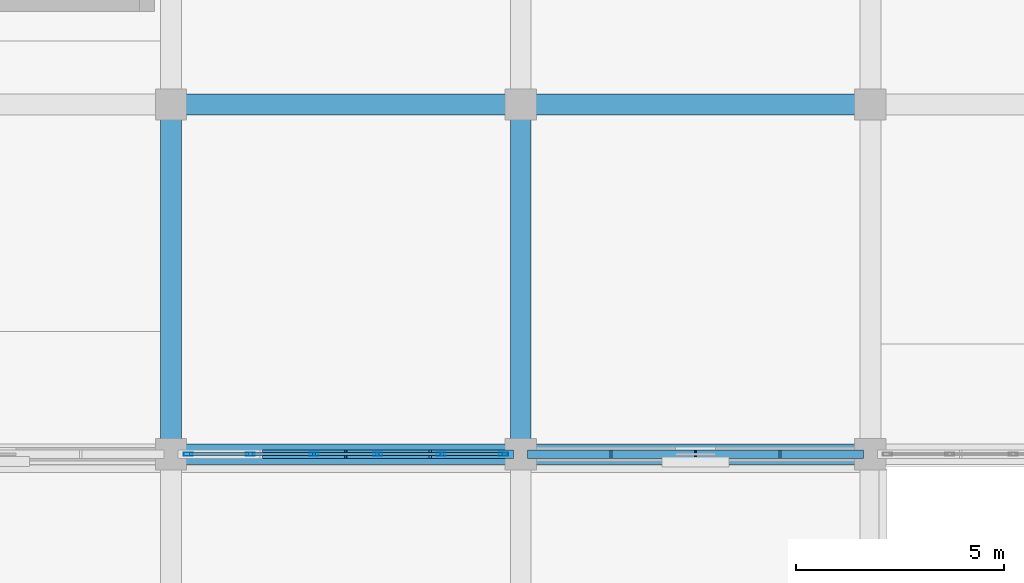
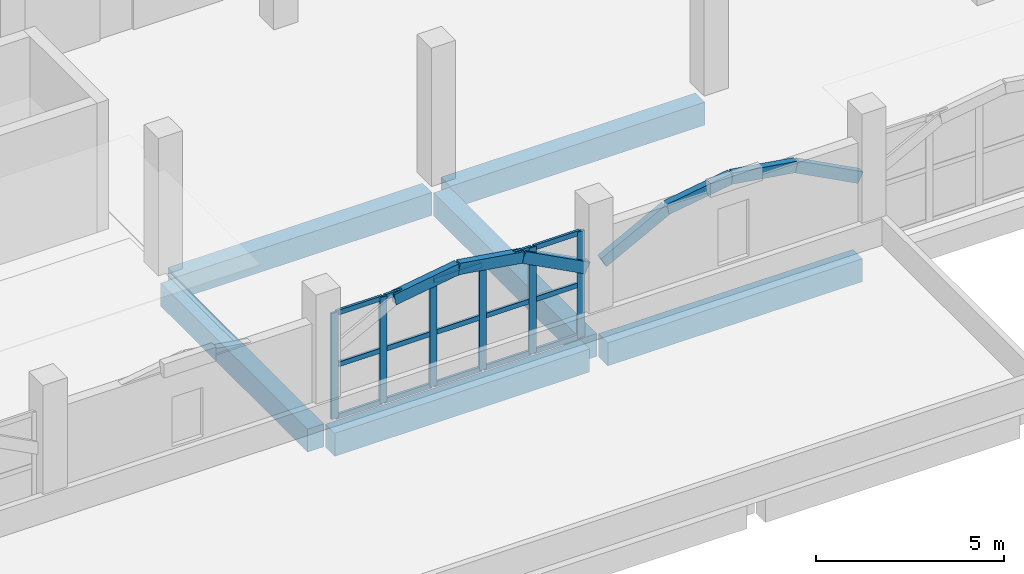
# One storey, part 47 of 114: 28 members, 6 beams, 1 element without a shape of its own.
"""IFC4 building model written with IfcOpenShell, lengths in metres."""

from ifc_helpers import new_model, si_unit, direction, frame, origin, origin_2d, place, context, subcontext, project, spatial, rectangle, hollow_rectangle, extrude, material, layer, layer_set, material_profile, profile_set, type_object, element, aggregate, save


model = new_model("IFC4")

# Units and contexts
model_context = context("Model", 3, precision=1e-05, world=origin(), true_north=direction((0.0, 1.0)))
body_context = subcontext(model_context, "Body", "Model", "MODEL_VIEW")
ifc_project = project(units=[si_unit("LENGTHUNIT", "METRE"), si_unit("AREAUNIT", "SQUARE_METRE"), si_unit("VOLUMEUNIT", "CUBIC_METRE"), si_unit("PLANEANGLEUNIT", "RADIAN"), si_unit("MASSUNIT", "GRAM", prefix="KILO")], contexts=[model_context])

# Site, building, storey
site_placement = place(None, origin())
site = spatial("IfcSite", under=ifc_project, at=site_placement, CompositionType="ELEMENT")
building_placement = place(site_placement, origin())
building = spatial("IfcBuilding", under=site, at=building_placement, Name="Xazarin Passage Department Store", CompositionType="ELEMENT")
storey_placement = place(building_placement, frame((0.0, 0.0, 14.39990234375)))
storey = spatial("IfcBuildingStorey", under=building, at=storey_placement, Name="L03", CompositionType="ELEMENT", Elevation=14.39990234375)

# Curtain wall, members
ifc_material_1 = material(Name="Bronze anodised aluminium", Category="aluminium")
ifc_layer = layer(ifc_material_1, 0.199951171875)
ifc_layer_set = layer_set([ifc_layer], Name="Bronze anodised aluminium")
curtain_wall_type = type_object("IfcCurtainWallType", Name="ARC-CW-VIT2", PredefinedType="NOTDEFINED", material=ifc_layer_set)
curtain_wall_placement = place(storey_placement, origin())
curtain_wall = element("IfcCurtainWall", 1, at=curtain_wall_placement, inside=storey, type_object=curtain_wall_type, Name="L03 V1 Curtain Wall 057", PredefinedType="NOTDEFINED")
ifc_material_profile_1 = material_profile(ifc_material_1, hollow_rectangle(XDim=0.074951171875, YDim=0.219970703125, WallThickness=0.0048828125, at=origin_2d()), Name="ALU 75x220")
ifc_profile_set_1 = profile_set([ifc_material_profile_1], Name="Bronze anodised aluminium")
member_type_1 = type_object("IfcMemberType", Name="ARC-CWM-75x220", PredefinedType="MULLION", material=ifc_profile_set_1)
member_1_placement = place(storey_placement, frame((34.012451171875, 68.0, 0.0), z_axis=(0.0, 0.0, 1.0), x_axis=(0.0, 1.0, 0.0)))
member_1 = element("IfcMember", 2, at=member_1_placement, type_object=member_type_1, Name="CW2 mullion 1", PredefinedType="MULLION", context=body_context, shape_type="SweptSolid", body=[
    extrude(hollow_rectangle(XDim=0.074951171875, YDim=0.219970703125, WallThickness=0.0048828125, at=origin_2d()), origin(), (0.0, 0.0, 1.0), 3.4501953125),
])
member_2_placement = place(storey_placement, frame((35.5048828125, 68.0, 0.0), z_axis=(0.0, 0.0, 1.0), x_axis=(0.0, 1.0, 0.0)))
member_2 = element("IfcMember", 3, at=member_2_placement, type_object=member_type_1, Name="CW2 mullion 2", PredefinedType="MULLION", context=body_context, shape_type="SweptSolid", body=[
    extrude(hollow_rectangle(XDim=0.074951171875, YDim=0.219970703125, WallThickness=0.0048828125, at=origin_2d()), origin(), (0.0, 0.0, 1.0), 3.4501953125),
])
member_3_placement = place(storey_placement, frame((37.034912109375, 68.0, 0.0), z_axis=(0.0, 0.0, 1.0), x_axis=(0.0, 1.0, 0.0)))
member_3 = element("IfcMember", 4, at=member_3_placement, type_object=member_type_1, Name="CW2 mullion 3", PredefinedType="MULLION", context=body_context, shape_type="SweptSolid", body=[
    extrude(hollow_rectangle(XDim=0.074951171875, YDim=0.219970703125, WallThickness=0.0048828125, at=origin_2d()), origin(), (0.0, 0.0, 1.0), 3.4501953125),
])
member_4_placement = place(storey_placement, frame((38.56494140625, 68.0, 0.0), z_axis=(0.0, 0.0, 1.0), x_axis=(0.0, 1.0, 0.0)))
member_4 = element("IfcMember", 5, at=member_4_placement, type_object=member_type_1, Name="CW2 mullion 4", PredefinedType="MULLION", context=body_context, shape_type="SweptSolid", body=[
    extrude(hollow_rectangle(XDim=0.074951171875, YDim=0.219970703125, WallThickness=0.0048828125, at=origin_2d()), origin(), (0.0, 0.0, 1.0), 3.4501953125),
])
member_5_placement = place(storey_placement, frame((40.094970703125, 68.0, 0.0), z_axis=(0.0, 0.0, 1.0), x_axis=(0.0, 1.0, 0.0)))
member_5 = element("IfcMember", 6, at=member_5_placement, type_object=member_type_1, Name="CW2 mullion 5", PredefinedType="MULLION", context=body_context, shape_type="SweptSolid", body=[
    extrude(hollow_rectangle(XDim=0.074951171875, YDim=0.219970703125, WallThickness=0.0048828125, at=origin_2d()), origin(), (0.0, 0.0, 1.0), 3.4501953125),
])
member_6_placement = place(storey_placement, frame((41.58740234375, 68.0, 0.0), z_axis=(0.0, 0.0, 1.0), x_axis=(0.0, 1.0, 0.0)))
member_6 = element("IfcMember", 7, at=member_6_placement, type_object=member_type_1, Name="CW2 mullion 6", PredefinedType="MULLION", context=body_context, shape_type="SweptSolid", body=[
    extrude(hollow_rectangle(XDim=0.074951171875, YDim=0.219970703125, WallThickness=0.0048828125, at=origin_2d()), origin(), (0.0, 0.0, 1.0), 3.4501953125),
])
ifc_material_profile_2 = material_profile(ifc_material_1, hollow_rectangle(XDim=0.074951171875, YDim=0.159912109375, WallThickness=0.00439453125, at=origin_2d()), Name="ALU 75x160")
ifc_profile_set_2 = profile_set([ifc_material_profile_2], Name="Bronze anodised aluminium")
member_type_2 = type_object("IfcMemberType", Name="ARC-CWT-75x160", PredefinedType="USERDEFINED", material=ifc_profile_set_2)
member_7_placement = place(storey_placement, frame((34.050048828125, 68.0, 0.03759765625), z_axis=(1.0, 0.0, 0.0), x_axis=(0.0, 1.0, 0.0)))
member_7 = element("IfcMember", 8, at=member_7_placement, type_object=member_type_2, Name="CW2 transom 1.1", ObjectType="TRANSOM", PredefinedType="USERDEFINED", context=body_context, shape_type="SweptSolid", body=[
    extrude(hollow_rectangle(XDim=0.074951171875, YDim=0.159912109375, WallThickness=0.00439453125, at=origin_2d()), origin(), (0.0, 0.0, 1.0), 1.41748046875),
])
member_8_placement = place(storey_placement, frame((34.050048828125, 68.0, 1.72509765625), z_axis=(1.0, 0.0, 0.0), x_axis=(0.0, 1.0, 0.0)))
member_8 = element("IfcMember", 9, at=member_8_placement, type_object=member_type_2, Name="CW2 transom 1.2", ObjectType="TRANSOM", PredefinedType="USERDEFINED", context=body_context, shape_type="SweptSolid", body=[
    extrude(hollow_rectangle(XDim=0.074951171875, YDim=0.159912109375, WallThickness=0.00439453125, at=origin_2d()), origin(), (0.0, 0.0, 1.0), 1.41748046875),
])
member_9_placement = place(storey_placement, frame((34.050048828125, 68.0, 3.41259765625), z_axis=(1.0, 0.0, 0.0), x_axis=(0.0, 1.0, 0.0)))
member_9 = element("IfcMember", 10, at=member_9_placement, type_object=member_type_2, Name="CW2 transom 1.3", ObjectType="TRANSOM", PredefinedType="USERDEFINED", context=body_context, shape_type="SweptSolid", body=[
    extrude(hollow_rectangle(XDim=0.074951171875, YDim=0.159912109375, WallThickness=0.00439453125, at=origin_2d()), origin(), (0.0, 0.0, 1.0), 1.41748046875),
])
member_10_placement = place(storey_placement, frame((35.54248046875, 68.0, 0.03759765625), z_axis=(1.0, 0.0, 0.0), x_axis=(0.0, 1.0, 0.0)))
member_10 = element("IfcMember", 11, at=member_10_placement, type_object=member_type_2, Name="CW2 transom 2.1", ObjectType="TRANSOM", PredefinedType="USERDEFINED", context=body_context, shape_type="SweptSolid", body=[
    extrude(hollow_rectangle(XDim=0.074951171875, YDim=0.159912109375, WallThickness=0.00439453125, at=origin_2d()), origin(), (0.0, 0.0, 1.0), 1.455078125),
])
member_11_placement = place(storey_placement, frame((35.54248046875, 68.0, 1.72509765625), z_axis=(1.0, 0.0, 0.0), x_axis=(0.0, 1.0, 0.0)))
member_11 = element("IfcMember", 12, at=member_11_placement, type_object=member_type_2, Name="CW2 transom 2.2", ObjectType="TRANSOM", PredefinedType="USERDEFINED", context=body_context, shape_type="SweptSolid", body=[
    extrude(hollow_rectangle(XDim=0.074951171875, YDim=0.159912109375, WallThickness=0.00439453125, at=origin_2d()), origin(), (0.0, 0.0, 1.0), 1.455078125),
])
member_12_placement = place(storey_placement, frame((35.54248046875, 68.0, 3.41259765625), z_axis=(1.0, 0.0, 0.0), x_axis=(0.0, 1.0, 0.0)))
member_12 = element("IfcMember", 13, at=member_12_placement, type_object=member_type_2, Name="CW2 transom 2.3", ObjectType="TRANSOM", PredefinedType="USERDEFINED", context=body_context, shape_type="SweptSolid", body=[
    extrude(hollow_rectangle(XDim=0.074951171875, YDim=0.159912109375, WallThickness=0.00439453125, at=origin_2d()), origin(), (0.0, 0.0, 1.0), 1.455078125),
])
member_13_placement = place(storey_placement, frame((37.072509765625, 68.0, 0.03759765625), z_axis=(1.0, 0.0, 0.0), x_axis=(0.0, 1.0, 0.0)))
member_13 = element("IfcMember", 14, at=member_13_placement, type_object=member_type_2, Name="CW2 transom 3.1", ObjectType="TRANSOM", PredefinedType="USERDEFINED", context=body_context, shape_type="SweptSolid", body=[
    extrude(hollow_rectangle(XDim=0.074951171875, YDim=0.159912109375, WallThickness=0.00439453125, at=origin_2d()), origin(), (0.0, 0.0, 1.0), 1.455078125),
])
member_14_placement = place(storey_placement, frame((37.072509765625, 68.0, 1.72509765625), z_axis=(1.0, 0.0, 0.0), x_axis=(0.0, 1.0, 0.0)))
member_14 = element("IfcMember", 15, at=member_14_placement, type_object=member_type_2, Name="CW2 transom 3.2", ObjectType="TRANSOM", PredefinedType="USERDEFINED", context=body_context, shape_type="SweptSolid", body=[
    extrude(hollow_rectangle(XDim=0.074951171875, YDim=0.159912109375, WallThickness=0.00439453125, at=origin_2d()), origin(), (0.0, 0.0, 1.0), 1.455078125),
])
member_15_placement = place(storey_placement, frame((37.072509765625, 68.0, 3.41259765625), z_axis=(1.0, 0.0, 0.0), x_axis=(0.0, 1.0, 0.0)))
member_15 = element("IfcMember", 16, at=member_15_placement, type_object=member_type_2, Name="CW2 transom 3.3", ObjectType="TRANSOM", PredefinedType="USERDEFINED", context=body_context, shape_type="SweptSolid", body=[
    extrude(hollow_rectangle(XDim=0.074951171875, YDim=0.159912109375, WallThickness=0.00439453125, at=origin_2d()), origin(), (0.0, 0.0, 1.0), 1.455078125),
])
member_16_placement = place(storey_placement, frame((38.6025390625, 68.0, 0.03759765625), z_axis=(1.0, 0.0, 0.0), x_axis=(0.0, 1.0, 0.0)))
member_16 = element("IfcMember", 17, at=member_16_placement, type_object=member_type_2, Name="CW2 transom 4.1", ObjectType="TRANSOM", PredefinedType="USERDEFINED", context=body_context, shape_type="SweptSolid", body=[
    extrude(hollow_rectangle(XDim=0.074951171875, YDim=0.159912109375, WallThickness=0.00439453125, at=origin_2d()), origin(), (0.0, 0.0, 1.0), 1.455078125),
])
member_17_placement = place(storey_placement, frame((38.6025390625, 68.0, 1.72509765625), z_axis=(1.0, 0.0, 0.0), x_axis=(0.0, 1.0, 0.0)))
member_17 = element("IfcMember", 18, at=member_17_placement, type_object=member_type_2, Name="CW2 transom 4.2", ObjectType="TRANSOM", PredefinedType="USERDEFINED", context=body_context, shape_type="SweptSolid", body=[
    extrude(hollow_rectangle(XDim=0.074951171875, YDim=0.159912109375, WallThickness=0.00439453125, at=origin_2d()), origin(), (0.0, 0.0, 1.0), 1.455078125),
])
member_18_placement = place(storey_placement, frame((38.6025390625, 68.0, 3.41259765625), z_axis=(1.0, 0.0, 0.0), x_axis=(0.0, 1.0, 0.0)))
member_18 = element("IfcMember", 19, at=member_18_placement, type_object=member_type_2, Name="CW2 transom 4.3", ObjectType="TRANSOM", PredefinedType="USERDEFINED", context=body_context, shape_type="SweptSolid", body=[
    extrude(hollow_rectangle(XDim=0.074951171875, YDim=0.159912109375, WallThickness=0.00439453125, at=origin_2d()), origin(), (0.0, 0.0, 1.0), 1.455078125),
])
member_19_placement = place(storey_placement, frame((40.132568359375, 68.0, 0.03759765625), z_axis=(1.0, 0.0, 0.0), x_axis=(0.0, 1.0, 0.0)))
member_19 = element("IfcMember", 20, at=member_19_placement, type_object=member_type_2, Name="CW2 transom 5.1", ObjectType="TRANSOM", PredefinedType="USERDEFINED", context=body_context, shape_type="SweptSolid", body=[
    extrude(hollow_rectangle(XDim=0.074951171875, YDim=0.159912109375, WallThickness=0.00439453125, at=origin_2d()), origin(), (0.0, 0.0, 1.0), 1.41748046875),
])
member_20_placement = place(storey_placement, frame((40.132568359375, 68.0, 1.72509765625), z_axis=(1.0, 0.0, 0.0), x_axis=(0.0, 1.0, 0.0)))
member_20 = element("IfcMember", 21, at=member_20_placement, type_object=member_type_2, Name="CW2 transom 5.2", ObjectType="TRANSOM", PredefinedType="USERDEFINED", context=body_context, shape_type="SweptSolid", body=[
    extrude(hollow_rectangle(XDim=0.074951171875, YDim=0.159912109375, WallThickness=0.00439453125, at=origin_2d()), origin(), (0.0, 0.0, 1.0), 1.41748046875),
])
member_21_placement = place(storey_placement, frame((40.132568359375, 68.0, 3.41259765625), z_axis=(1.0, 0.0, 0.0), x_axis=(0.0, 1.0, 0.0)))
member_21 = element("IfcMember", 22, at=member_21_placement, type_object=member_type_2, Name="CW2 transom 5.3", ObjectType="TRANSOM", PredefinedType="USERDEFINED", context=body_context, shape_type="SweptSolid", body=[
    extrude(hollow_rectangle(XDim=0.074951171875, YDim=0.159912109375, WallThickness=0.00439453125, at=origin_2d()), origin(), (0.0, 0.0, 1.0), 1.41748046875),
])
aggregate(curtain_wall, [member_1, member_2, member_3, member_4, member_5, member_6, member_7, member_8, member_9, member_10, member_11, member_12, member_13, member_14, member_15, member_16, member_17, member_18, member_19, member_20, member_21])

# Beams
ifc_material_2 = material(Name="Concrete C35/45", Category="concrete")
ifc_material_profile_3 = material_profile(ifc_material_2, rectangle(XDim=0.5, YDim=0.75, at=origin_2d()), Name="RC 500x750")
ifc_profile_set_3 = profile_set([ifc_material_profile_3], Name="Concrete C35/45")
beam_type = type_object("IfcBeamType", Name="STR-BM-SP500x750", PredefinedType="SPANDREL", material=ifc_profile_set_3)
for number, where, z_axis, x_axis, name in (
    (23, (33.8798828125, 68.0, -0.6748046875), (1.0, 0.0, 0.0), (0.0, 1.0, 0.0), "L03 Grid Beam K/5-6"),
    (24, (42.280029296875, 68.0, -0.6748046875), (1.0, 0.0, 0.0), (0.0, 1.0, 0.0), "L03 Grid Beam K/6-7"),
    (25, (33.8798828125, 76.39990234375, -0.6748046875), (1.0, 0.0, 0.0), (0.0, 1.0, 0.0), "L03 Grid Beam L/5-6"),
    (26, (42.280029296875, 76.39990234375, -0.6748046875), (1.0, 0.0, 0.0), (0.0, 1.0, 0.0), "L03 Grid Beam L/6-7"),
    (27, (33.60009765625, 68.280029296875, -0.6748046875), (0.0, 1.0, 0.0), (-1.0, 0.0, 0.0), "L03 Grid Beam 5/K-L"),
    (28, (42.0, 68.280029296875, -0.6748046875), (0.0, 1.0, 0.0), (-1.0, 0.0, 0.0), "L03 Grid Beam 6/K-L"),
):
    element("IfcBeam", number, at=place(storey_placement, frame(where, z_axis=z_axis, x_axis=x_axis)), inside=storey, type_object=beam_type, Name=name, PredefinedType="SPANDREL", context=body_context, shape_type="SweptSolid", body=[
        extrude(rectangle(XDim=0.5, YDim=0.75, at=origin_2d()), origin(), (0.0, 0.0, 1.0), 7.840087890625),
    ])

# Members
ifc_material_3 = material(Name="Concrete C40/50", Category="concrete")
ifc_material_profile_4 = material_profile(ifc_material_3, rectangle(XDim=0.199951171875, YDim=0.360107421875, at=origin_2d()), Name="RC 200x360")
ifc_profile_set_4 = profile_set([ifc_material_profile_4], Name="Concrete C40/50")
member_type_3 = type_object("IfcMemberType", Name="STR-MEM-ARC360", PredefinedType="CHORD", material=ifc_profile_set_4)
member_22_placement = place(storey_placement, frame((35.824951171875, 68.0, 3.2705078125), z_axis=(0.987938581312, 0.0, 0.154846244883), x_axis=(0.0, 1.0, 0.0)))
element("IfcMember", 29, at=member_22_placement, inside=storey, type_object=member_type_3, Name="L03 V1 Upper Setback Pierced Arch 016.2", PredefinedType="CHORD", context=body_context, shape_type="SweptSolid", body=[
    extrude(rectangle(XDim=0.199951171875, YDim=0.360107421875, at=origin_2d()), origin(), (0.0, 0.0, 1.0), 1.999267578125),
])
member_23_placement = place(storey_placement, frame((37.800048828125, 68.0, 3.580078125), z_axis=(0.987935652704, 0.0, -0.154864928623), x_axis=(0.0, 1.0, 0.0)))
element("IfcMember", 30, at=member_23_placement, inside=storey, type_object=member_type_3, Name="L03 V1 Upper Setback Pierced Arch 016.3", PredefinedType="CHORD", context=body_context, shape_type="SweptSolid", body=[
    extrude(rectangle(XDim=0.199951171875, YDim=0.360107421875, at=origin_2d()), origin(), (0.0, 0.0, 1.0), 1.9990234375),
])
for number, where, z_axis, x_axis, name in (
    (31, (39.77490234375, 68.0, 3.2705078125), (0.88473311603, 0.0, -0.466097965454), (0.0, 1.0, 0.0), "L03 V1 Upper Setback Pierced Arch 016.4"),
    (32, (42.25, 68.0, 2.22998046875), (0.88473311603, 0.0, 0.466097965454), (0.0, 1.0, 0.0), "L03 V1 Upper Setback Pierced Arch 017.1"),
):
    element("IfcMember", number, at=place(storey_placement, frame(where, z_axis=z_axis, x_axis=x_axis)), inside=storey, type_object=member_type_3, Name=name, PredefinedType="CHORD", context=body_context, shape_type="SweptSolid", body=[
        extrude(rectangle(XDim=0.199951171875, YDim=0.360107421875, at=origin_2d()), origin(), (0.0, 0.0, 1.0), 2.232421875),
    ])
member_24_placement = place(storey_placement, frame((44.22509765625, 68.0, 3.2705078125), z_axis=(0.987935652704, 0.0, 0.154864928623), x_axis=(0.0, 1.0, 0.0)))
element("IfcMember", 33, at=member_24_placement, inside=storey, type_object=member_type_3, Name="L03 V1 Upper Setback Pierced Arch 017.2", PredefinedType="CHORD", context=body_context, shape_type="SweptSolid", body=[
    extrude(rectangle(XDim=0.199951171875, YDim=0.360107421875, at=origin_2d()), origin(), (0.0, 0.0, 1.0), 1.9990234375),
])
member_25_placement = place(storey_placement, frame((46.199951171875, 68.0, 3.580078125), z_axis=(0.987938581312, 0.0, -0.154846244883), x_axis=(0.0, 1.0, 0.0)))
element("IfcMember", 34, at=member_25_placement, inside=storey, type_object=member_type_3, Name="L03 V1 Upper Setback Pierced Arch 017.3", PredefinedType="CHORD", context=body_context, shape_type="SweptSolid", body=[
    extrude(rectangle(XDim=0.199951171875, YDim=0.360107421875, at=origin_2d()), origin(), (0.0, 0.0, 1.0), 1.999267578125),
])
member_26_placement = place(storey_placement, frame((48.175048828125, 68.0, 3.2705078125), z_axis=(0.884709354127, 0.0, -0.466143066793), x_axis=(0.0, 1.0, 0.0)))
element("IfcMember", 35, at=member_26_placement, inside=storey, type_object=member_type_3, Name="L03 V1 Upper Setback Pierced Arch 017.4", PredefinedType="CHORD", context=body_context, shape_type="SweptSolid", body=[
    extrude(rectangle(XDim=0.199951171875, YDim=0.360107421875, at=origin_2d()), origin(), (0.0, 0.0, 1.0), 2.232177734375),
])

save(model, "model.ifc")
